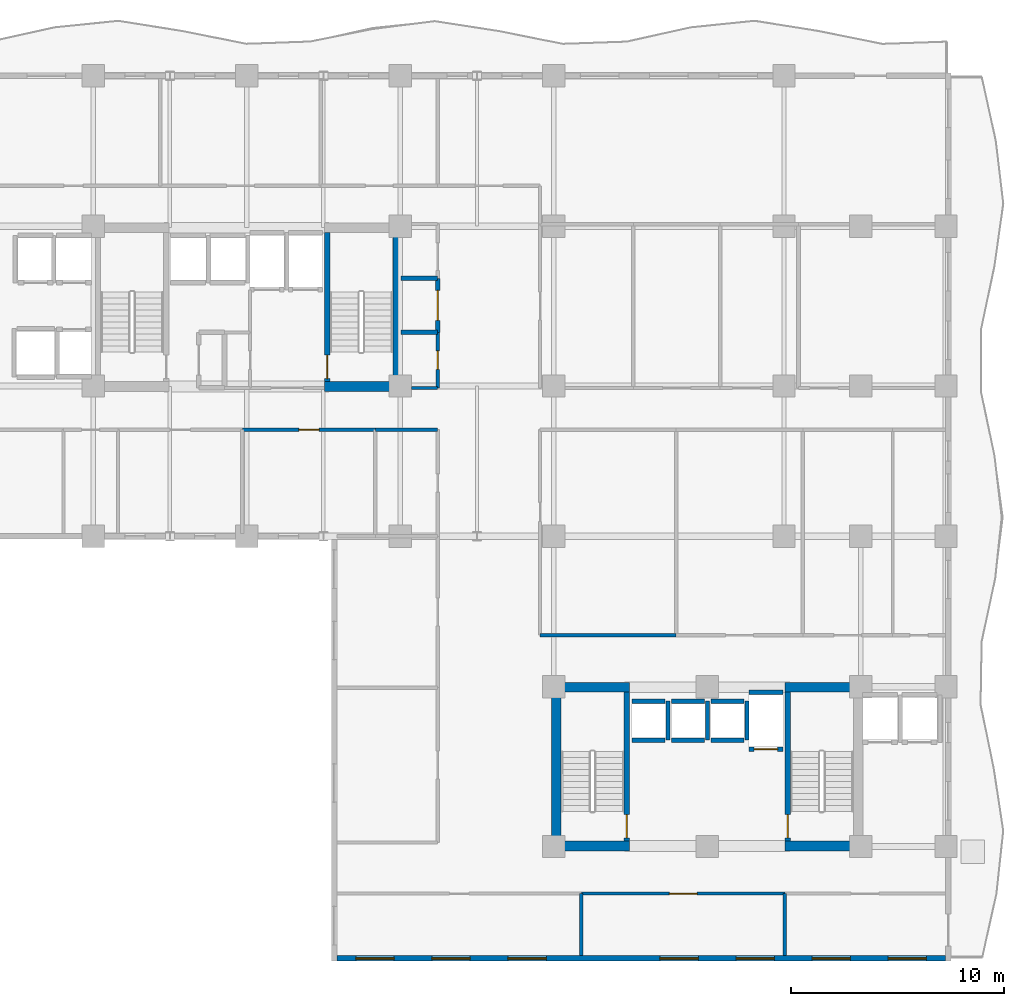
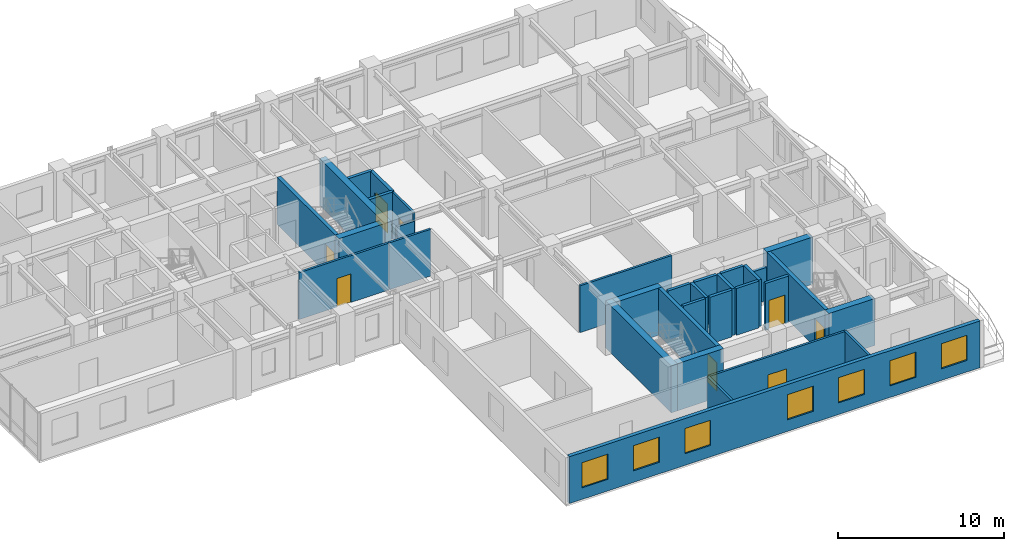
# One storey, part 12 of 19: 33 walls, 8 doors, 7 windows, 15 openings.
"""IFC4 building model written with IfcOpenShell, lengths in metres."""

from ifc_helpers import new_model, si_unit, direction, frame, frame_2d, origin, place, context, subcontext, project, spatial, rectangle, extrude, material, layer, layer_set, type_object, element, fill, save


model = new_model("IFC4")

# Units and contexts
model_context = context("Model", 3, precision=1e-05, world=origin(), true_north=direction((0.0, 1.0)))
body_context = subcontext(model_context, "Body", "Model", "MODEL_VIEW")
ifc_project = project(units=[si_unit("LENGTHUNIT", "METRE"), si_unit("AREAUNIT", "SQUARE_METRE"), si_unit("VOLUMEUNIT", "CUBIC_METRE"), si_unit("PLANEANGLEUNIT", "RADIAN"), si_unit("MASSUNIT", "GRAM", prefix="KILO")], contexts=[model_context])

# Site, building, storey
site_placement = place(None, origin())
site = spatial("IfcSite", under=ifc_project, at=site_placement, CompositionType="ELEMENT")
building_placement = place(site_placement, origin())
building = spatial("IfcBuilding", under=site, at=building_placement, Name="Kaliganga Portal Commons", CompositionType="ELEMENT")
storey_placement = place(building_placement, frame((0.0, 0.0, 140.199951171875)))
storey = spatial("IfcBuildingStorey", under=building, at=storey_placement, Name="L35", CompositionType="ELEMENT", Elevation=140.199951171875)

# Walls
ifc_material_1 = material(Name="Concrete C60/75", Category="concrete")
ifc_layer_1 = layer(ifc_material_1, 0.449951171875)
ifc_layer_set_1 = layer_set([ifc_layer_1], Name="Concrete C60/75")
wall_type_1 = type_object("IfcWallType", Name="WL-CORE-450", PredefinedType="SHEAR", material=ifc_layer_set_1)
wall_1_placement = place(storey_placement, frame((28.675048828125, 28.39990234375, 0.0), z_axis=(0.0, 0.0, 1.0), x_axis=(0.0, 1.0, 0.0)))
element("IfcWall", 1, at=wall_1_placement, inside=storey, type_object=wall_type_1, Name="Core A East Shear Wall L35", PredefinedType="SHEAR", context=body_context, shape_type="SweptSolid", body=[
    extrude(rectangle(XDim=7.900146484375, YDim=0.449951171875, at=frame_2d((3.9501953125, 0.0))), origin(), (0.0, 0.0, 1.0), 3.4599609375),
])
wall_2_placement = place(storey_placement, frame((25.25, 28.625, 0.0), z_axis=(0.0, 0.0, 1.0), x_axis=(1.0, 0.0, 0.0)))
element("IfcWall", 2, at=wall_2_placement, inside=storey, type_object=wall_type_1, Name="Core A S-East Shear Wall L35", PredefinedType="SHEAR", context=body_context, shape_type="SweptSolid", body=[
    extrude(rectangle(XDim=3.199951171875, YDim=0.449951171875, at=frame_2d((1.60009765625, 0.0))), origin(), (0.0, 0.0, 1.0), 3.4599609375),
])
wall_3_placement = place(storey_placement, frame((36.125, 6.85009765625, 0.0), z_axis=(0.0, 0.0, 1.0), x_axis=(0.0, 1.0, 0.0)))
element("IfcWall", 3, at=wall_3_placement, inside=storey, type_object=wall_type_1, Name="Core B West Shear Wall L35", PredefinedType="SHEAR", context=body_context, shape_type="SweptSolid", body=[
    extrude(rectangle(XDim=7.89990234375, YDim=0.449951171875, at=frame_2d((3.949951171875, 0.0))), origin(), (0.0, 0.0, 1.0), 3.4599609375),
])
for number, where, z_axis, x_axis, name in (
    (4, (36.35009765625, 7.074951171875, 0.0), (0.0, 0.0, 1.0), (1.0, 0.0, 0.0), "Core B S-West Shear Wall L35"),
    (5, (46.85009765625, 7.074951171875, 0.0), (0.0, 0.0, 1.0), (1.0, 0.0, 0.0), "Core B S-East Shear Wall L35"),
    (6, (36.35009765625, 14.52490234375, 0.0), (0.0, 0.0, 1.0), (1.0, 0.0, 0.0), "Core B N-West Shear Wall L35"),
    (7, (46.85009765625, 14.52490234375, 0.0), (0.0, 0.0, 1.0), (1.0, 0.0, 0.0), "Core B N-East Shear Wall L35"),
):
    element("IfcWall", number, at=place(storey_placement, frame(where, z_axis=z_axis, x_axis=x_axis)), inside=storey, type_object=wall_type_1, Name=name, PredefinedType="SHEAR", context=body_context, shape_type="SweptSolid", body=[
        extrude(rectangle(XDim=3.199951171875, YDim=0.449951171875, at=frame_2d((1.60009765625, 0.0))), origin(), (0.0, 0.0, 1.0), 3.4599609375),
    ])

# Wall, openings, windows
ifc_material_2 = material(Name="Insulated Aluminium-Clad Spandrel Assembly", Category="aluminium")
ifc_layer_2 = layer(ifc_material_2, 0.260009765625)
ifc_layer_set_2 = layer_set([ifc_layer_2], Name="Insulated Aluminium-Clad Spandrel Assembly")
wall_type_2 = type_object("IfcWallType", Name="WL-EXT-SPAND-260", PredefinedType="STANDARD", material=ifc_layer_set_2)
wall_4_placement = place(storey_placement, frame((54.364990234375, 1.800048828125, 0.0), z_axis=(0.0, 0.0, 1.0), x_axis=(-1.0, 0.0, 0.0)))
wall_4 = element("IfcWall", 8, at=wall_4_placement, inside=storey, type_object=wall_type_2, Name="Exterior Envelope Wall L35 P1-E00-S1", PredefinedType="STANDARD", context=body_context, shape_type="SweptSolid", body=[
    extrude(rectangle(XDim=28.530029296875, YDim=0.260009765625, at=frame_2d((14.26513671875, 0.0))), origin(), (0.0, 0.0, 1.0), 3.43994140625),
])
opening_1_placement = place(wall_4_placement, frame((0.883056640625, 0.0, 0.85009765625)))
opening_1 = element("IfcOpeningElement", 9, at=opening_1_placement, cuts=wall_4, Name="Opening W-01", PredefinedType="OPENING", context=body_context, shape_type="SweptSolid", body=[
    extrude(rectangle(XDim=1.800048828125, YDim=1.85009765625, at=frame_2d((0.89990234375, 0.925048828125))), frame((0.0, 0.14013671875, 0.0), z_axis=(0.0, -1.0, 0.0), x_axis=(1.0, 0.0, 0.0)), (0.0, 0.0, 1.0), 0.280029296875),
])
opening_2_placement = place(wall_4_placement, frame((4.449462890625, 0.0, 0.85009765625)))
opening_2 = element("IfcOpeningElement", 10, at=opening_2_placement, cuts=wall_4, Name="Opening W-01", PredefinedType="OPENING", context=body_context, shape_type="SweptSolid", body=[
    extrude(rectangle(XDim=1.800048828125, YDim=1.85009765625, at=frame_2d((0.89990234375, 0.925048828125))), frame((0.0, 0.14013671875, 0.0), z_axis=(0.0, -1.0, 0.0), x_axis=(1.0, 0.0, 0.0)), (0.0, 0.0, 1.0), 0.280029296875),
])
opening_3_placement = place(wall_4_placement, frame((8.015625, 0.0, 0.85009765625)))
opening_3 = element("IfcOpeningElement", 11, at=opening_3_placement, cuts=wall_4, Name="Opening W-01", PredefinedType="OPENING", context=body_context, shape_type="SweptSolid", body=[
    extrude(rectangle(XDim=1.800048828125, YDim=1.85009765625, at=frame_2d((0.89990234375, 0.925048828125))), frame((0.0, 0.14013671875, 0.0), z_axis=(0.0, -1.0, 0.0), x_axis=(1.0, 0.0, 0.0)), (0.0, 0.0, 1.0), 0.280029296875),
])
opening_4_placement = place(wall_4_placement, frame((11.581787109375, 0.0, 0.85009765625)))
opening_4 = element("IfcOpeningElement", 12, at=opening_4_placement, cuts=wall_4, Name="Opening W-01", PredefinedType="OPENING", context=body_context, shape_type="SweptSolid", body=[
    extrude(rectangle(XDim=1.800048828125, YDim=1.85009765625, at=frame_2d((0.89990234375, 0.925048828125))), frame((0.0, 0.14013671875, 0.0), z_axis=(0.0, -1.0, 0.0), x_axis=(1.0, 0.0, 0.0)), (0.0, 0.0, 1.0), 0.280029296875),
])
opening_5_placement = place(wall_4_placement, frame((18.71435546875, 0.0, 0.85009765625)))
opening_5 = element("IfcOpeningElement", 13, at=opening_5_placement, cuts=wall_4, Name="Opening W-01", PredefinedType="OPENING", context=body_context, shape_type="SweptSolid", body=[
    extrude(rectangle(XDim=1.800048828125, YDim=1.85009765625, at=frame_2d((0.89990234375, 0.925048828125))), frame((0.0, 0.14013671875, 0.0), z_axis=(0.0, -1.0, 0.0), x_axis=(1.0, 0.0, 0.0)), (0.0, 0.0, 1.0), 0.280029296875),
])
opening_6_placement = place(wall_4_placement, frame((22.280517578125, 0.0, 0.85009765625)))
opening_6 = element("IfcOpeningElement", 14, at=opening_6_placement, cuts=wall_4, Name="Opening W-01", PredefinedType="OPENING", context=body_context, shape_type="SweptSolid", body=[
    extrude(rectangle(XDim=1.800048828125, YDim=1.85009765625, at=frame_2d((0.89990234375, 0.925048828125))), frame((0.0, 0.14013671875, 0.0), z_axis=(0.0, -1.0, 0.0), x_axis=(1.0, 0.0, 0.0)), (0.0, 0.0, 1.0), 0.280029296875),
])
opening_7_placement = place(wall_4_placement, frame((25.846923828125, 0.0, 0.85009765625)))
opening_7 = element("IfcOpeningElement", 15, at=opening_7_placement, cuts=wall_4, Name="Opening W-01", PredefinedType="OPENING", context=body_context, shape_type="SweptSolid", body=[
    extrude(rectangle(XDim=1.800048828125, YDim=1.85009765625, at=frame_2d((0.89990234375, 0.925048828125))), frame((0.0, 0.14013671875, 0.0), z_axis=(0.0, -1.0, 0.0), x_axis=(1.0, 0.0, 0.0)), (0.0, 0.0, 1.0), 0.280029296875),
])
ifc_material_3 = material(Name="Thermally Broken Aluminium and Low-E Double Glazing", Category="aluminium")
window_type = type_object("IfcWindowType", Name="WIN-STD-1800", PartitioningType="DOUBLE_PANEL_VERTICAL", PredefinedType="WINDOW", material=ifc_material_3)
window_1_placement = place(opening_1_placement, origin())
window_1 = element("IfcWindow", 16, at=window_1_placement, inside=storey, type_object=window_type, Name="Facade Window L35-P1E00S1-00", OverallHeight=1.85009765625, OverallWidth=1.800048828125, PartitioningType="SINGLE_PANEL", PredefinedType="WINDOW", context=body_context, shape_type="SweptSolid", body=[
    extrude(rectangle(XDim=1.800048828125, YDim=1.85009765625, at=frame_2d((0.89990234375, 0.925048828125))), frame((0.0, 0.030029296875, 0.0), z_axis=(0.0, -1.0, 0.0), x_axis=(1.0, 0.0, 0.0)), (0.0, 0.0, 1.0), 0.06005859375),
])
fill(opening_1, window_1)
window_2_placement = place(opening_2_placement, origin())
window_2 = element("IfcWindow", 17, at=window_2_placement, inside=storey, type_object=window_type, Name="Facade Window L35-P1E00S1-01", OverallHeight=1.85009765625, OverallWidth=1.800048828125, PartitioningType="SINGLE_PANEL", PredefinedType="WINDOW", context=body_context, shape_type="SweptSolid", body=[
    extrude(rectangle(XDim=1.800048828125, YDim=1.85009765625, at=frame_2d((0.89990234375, 0.925048828125))), frame((0.0, 0.030029296875, 0.0), z_axis=(0.0, -1.0, 0.0), x_axis=(1.0, 0.0, 0.0)), (0.0, 0.0, 1.0), 0.06005859375),
])
fill(opening_2, window_2)
window_3_placement = place(opening_3_placement, origin())
window_3 = element("IfcWindow", 18, at=window_3_placement, inside=storey, type_object=window_type, Name="Facade Window L35-P1E00S1-02", OverallHeight=1.85009765625, OverallWidth=1.800048828125, PartitioningType="SINGLE_PANEL", PredefinedType="WINDOW", context=body_context, shape_type="SweptSolid", body=[
    extrude(rectangle(XDim=1.800048828125, YDim=1.85009765625, at=frame_2d((0.89990234375, 0.925048828125))), frame((0.0, 0.030029296875, 0.0), z_axis=(0.0, -1.0, 0.0), x_axis=(1.0, 0.0, 0.0)), (0.0, 0.0, 1.0), 0.06005859375),
])
fill(opening_3, window_3)
window_4_placement = place(opening_4_placement, origin())
window_4 = element("IfcWindow", 19, at=window_4_placement, inside=storey, type_object=window_type, Name="Facade Window L35-P1E00S1-03", OverallHeight=1.85009765625, OverallWidth=1.800048828125, PartitioningType="SINGLE_PANEL", PredefinedType="WINDOW", context=body_context, shape_type="SweptSolid", body=[
    extrude(rectangle(XDim=1.800048828125, YDim=1.85009765625, at=frame_2d((0.89990234375, 0.925048828125))), frame((0.0, 0.030029296875, 0.0), z_axis=(0.0, -1.0, 0.0), x_axis=(1.0, 0.0, 0.0)), (0.0, 0.0, 1.0), 0.06005859375),
])
fill(opening_4, window_4)
window_5_placement = place(opening_5_placement, origin())
window_5 = element("IfcWindow", 20, at=window_5_placement, inside=storey, type_object=window_type, Name="Facade Window L35-P1E00S1-05", OverallHeight=1.85009765625, OverallWidth=1.800048828125, PartitioningType="SINGLE_PANEL", PredefinedType="WINDOW", context=body_context, shape_type="SweptSolid", body=[
    extrude(rectangle(XDim=1.800048828125, YDim=1.85009765625, at=frame_2d((0.89990234375, 0.925048828125))), frame((0.0, 0.030029296875, 0.0), z_axis=(0.0, -1.0, 0.0), x_axis=(1.0, 0.0, 0.0)), (0.0, 0.0, 1.0), 0.06005859375),
])
fill(opening_5, window_5)
window_6_placement = place(opening_6_placement, origin())
window_6 = element("IfcWindow", 21, at=window_6_placement, inside=storey, type_object=window_type, Name="Facade Window L35-P1E00S1-06", OverallHeight=1.85009765625, OverallWidth=1.800048828125, PartitioningType="SINGLE_PANEL", PredefinedType="WINDOW", context=body_context, shape_type="SweptSolid", body=[
    extrude(rectangle(XDim=1.800048828125, YDim=1.85009765625, at=frame_2d((0.89990234375, 0.925048828125))), frame((0.0, 0.030029296875, 0.0), z_axis=(0.0, -1.0, 0.0), x_axis=(1.0, 0.0, 0.0)), (0.0, 0.0, 1.0), 0.06005859375),
])
fill(opening_6, window_6)
window_7_placement = place(opening_7_placement, origin())
window_7 = element("IfcWindow", 22, at=window_7_placement, inside=storey, type_object=window_type, Name="Facade Window L35-P1E00S1-07", OverallHeight=1.85009765625, OverallWidth=1.800048828125, PartitioningType="SINGLE_PANEL", PredefinedType="WINDOW", context=body_context, shape_type="SweptSolid", body=[
    extrude(rectangle(XDim=1.800048828125, YDim=1.85009765625, at=frame_2d((0.89990234375, 0.925048828125))), frame((0.0, 0.030029296875, 0.0), z_axis=(0.0, -1.0, 0.0), x_axis=(1.0, 0.0, 0.0)), (0.0, 0.0, 1.0), 0.06005859375),
])
fill(opening_7, window_7)

# Wall, opening, door
ifc_material_4 = material(Name="Fire-Rated Gypsum Board on Steel Stud", Category="steel")
ifc_layer_3 = layer(ifc_material_4, 0.14990234375)
ifc_layer_set_3 = layer_set([ifc_layer_3], Name="Fire-Rated Gypsum Board on Steel Stud")
wall_type_3 = type_object("IfcWallType", Name="WL-PART-CORR-150", PredefinedType="PARTITIONING", material=ifc_layer_set_3)
wall_5_placement = place(storey_placement, frame((37.300048828125, 4.840087890625, 0.0), z_axis=(0.0, 0.0, 1.0), x_axis=(1.0, 0.0, 0.0)))
wall_5 = element("IfcWall", 23, at=wall_5_placement, inside=storey, type_object=wall_type_3, Name="Interior Partition L35-004", PredefinedType="PARTITIONING", context=body_context, shape_type="SweptSolid", body=[
    extrude(rectangle(XDim=9.5400390625, YDim=0.14990234375, at=frame_2d((4.77001953125, 0.0))), origin(), (0.0, 0.0, 1.0), 3.43994140625),
])
opening_8_placement = place(wall_5_placement, frame((4.1201171875, 0.0, 0.0)))
opening_8 = element("IfcOpeningElement", 24, at=opening_8_placement, cuts=wall_5, Name="Opening RD-03", PredefinedType="OPENING", context=body_context, shape_type="SweptSolid", body=[
    extrude(rectangle(XDim=1.300048828125, YDim=2.1201171875, at=frame_2d((0.64990234375, 1.06005859375))), frame((0.0, 0.0849609375, 0.0), z_axis=(0.0, -1.0, 0.0), x_axis=(1.0, 0.0, 0.0)), (0.0, 0.0, 1.0), 0.169921875),
])
ifc_material_5 = material(Name="Glazed Timber Seminar Vision Door", Category="wood")
door_type_1 = type_object("IfcDoorType", Name="DR-STUDY-1300", OperationType="DOUBLE_DOOR_SINGLE_SWING", PredefinedType="DOOR", material=ifc_material_5)
door_1_placement = place(opening_8_placement, origin())
door_1 = element("IfcDoor", 25, at=door_1_placement, inside=storey, type_object=door_type_1, Name="Interior Door L35-BS02", OperationType="DOUBLE_DOOR_SINGLE_SWING", OverallHeight=2.1201171875, OverallWidth=1.300048828125, PredefinedType="DOOR", context=body_context, shape_type="SweptSolid", body=[
    extrude(rectangle(XDim=1.300048828125, YDim=2.1201171875, at=frame_2d((0.64990234375, 1.06005859375))), frame((0.0, 0.02490234375, 0.0), z_axis=(0.0, -1.0, 0.0), x_axis=(1.0, 0.0, 0.0)), (0.0, 0.0, 1.0), 0.050048828125),
])
fill(opening_8, door_1)

# Wall
wall_6_placement = place(storey_placement, frame((35.360107421875, 16.9599609375, 0.0), z_axis=(0.0, 0.0, 1.0), x_axis=(1.0, 0.0, 0.0)))
element("IfcWall", 26, at=wall_6_placement, inside=storey, type_object=wall_type_3, Name="Interior Partition L35-018", PredefinedType="PARTITIONING", context=body_context, shape_type="SweptSolid", body=[
    extrude(rectangle(XDim=6.3798828125, YDim=0.14990234375, at=frame_2d((3.18994140625, 0.0))), origin(), (0.0, 0.0, 1.0), 3.43994140625),
])

# Wall, opening, door
wall_7_placement = place(storey_placement, frame((21.39990234375, 26.60009765625, 0.0), z_axis=(0.0, 0.0, 1.0), x_axis=(1.0, 0.0, 0.0)))
wall_7 = element("IfcWall", 27, at=wall_7_placement, inside=storey, type_object=wall_type_3, Name="Interior Partition L35-020", PredefinedType="PARTITIONING", context=body_context, shape_type="SweptSolid", body=[
    extrude(rectangle(XDim=6.239990234375, YDim=0.14990234375, at=frame_2d((3.1201171875, 0.0))), origin(), (0.0, 0.0, 1.0), 3.43994140625),
])
opening_9_placement = place(wall_7_placement, frame((2.64501953125, 0.0, 0.0)))
opening_9 = element("IfcOpeningElement", 28, at=opening_9_placement, cuts=wall_7, Name="Opening UD-01", PredefinedType="OPENING", context=body_context, shape_type="SweptSolid", body=[
    extrude(rectangle(XDim=0.949951171875, YDim=2.10009765625, at=frame_2d((0.47509765625, 1.050048828125))), frame((0.0, 0.0849609375, 0.0), z_axis=(0.0, -1.0, 0.0), x_axis=(1.0, 0.0, 0.0)), (0.0, 0.0, 1.0), 0.169921875),
])
ifc_material_6 = material(Name="Solid-Core Timber Acoustic Fire Door", Category="wood")
door_type_2 = type_object("IfcDoorType", Name="DR-UNIT-950", OperationType="NOTDEFINED", PredefinedType="DOOR", material=ifc_material_6)
door_2_placement = place(opening_9_placement, origin())
door_2 = element("IfcDoor", 29, at=door_2_placement, inside=storey, type_object=door_type_2, Name="Interior Door L35-AS04", OperationType="SINGLE_SWING_RIGHT", OverallHeight=2.10009765625, OverallWidth=0.949951171875, PredefinedType="DOOR", context=body_context, shape_type="SweptSolid", body=[
    extrude(rectangle(XDim=0.949951171875, YDim=2.10009765625, at=frame_2d((0.47509765625, 1.050048828125))), frame((0.0, 0.02490234375, 0.0), z_axis=(0.0, -1.0, 0.0), x_axis=(1.0, 0.0, 0.0)), (0.0, 0.0, 1.0), 0.050048828125),
])
fill(opening_9, door_2)

# Wall
wall_8_placement = place(storey_placement, frame((27.639892578125, 26.60009765625, 0.0), z_axis=(0.0, 0.0, 1.0), x_axis=(1.0, 0.0, 0.0)))
element("IfcWall", 30, at=wall_8_placement, inside=storey, type_object=wall_type_3, Name="Interior Partition L35-035", PredefinedType="PARTITIONING", context=body_context, shape_type="SweptSolid", body=[
    extrude(rectangle(XDim=2.920166015625, YDim=0.14990234375, at=frame_2d((1.4599609375, 0.0))), origin(), (0.0, 0.0, 1.0), 3.43994140625),
])

# Wall, opening, door
wall_9_placement = place(storey_placement, frame((30.56005859375, 28.56005859375, 0.0), z_axis=(0.0, 0.0, 1.0), x_axis=(0.0, 1.0, 0.0)))
wall_9 = element("IfcWall", 31, at=wall_9_placement, inside=storey, type_object=wall_type_3, Name="Interior Partition L35-040", PredefinedType="PARTITIONING", context=body_context, shape_type="SweptSolid", body=[
    extrude(rectangle(XDim=2.599853515625, YDim=0.14990234375, at=frame_2d((1.2998046875, 0.0))), origin(), (0.0, 0.0, 1.0), 3.43994140625),
])
opening_10_placement = place(wall_9_placement, frame((0.8701171875, 0.0, 0.0)))
opening_10 = element("IfcOpeningElement", 32, at=opening_10_placement, cuts=wall_9, Name="Opening WD-02", PredefinedType="OPENING", context=body_context, shape_type="SweptSolid", body=[
    extrude(rectangle(XDim=0.860107421875, YDim=2.02001953125, at=frame_2d((0.43017578125, 1.010009765625))), frame((0.0, 0.0849609375, 0.0), z_axis=(0.0, -1.0, 0.0), x_axis=(1.0, 0.0, 0.0)), (0.0, 0.0, 1.0), 0.169921875),
])
ifc_material_7 = material(Name="Fire-Rated Utility Closet Door", Category="wood")
door_type_3 = type_object("IfcDoorType", Name="DR-STORE-800", OperationType="NOTDEFINED", PredefinedType="DOOR", material=ifc_material_7)
door_3_placement = place(opening_10_placement, origin())
door_3 = element("IfcDoor", 33, at=door_3_placement, inside=storey, type_object=door_type_3, Name="Interior Door L35-CSRV_A1", OperationType="SINGLE_SWING_RIGHT", OverallHeight=2.02001953125, OverallWidth=0.860107421875, PredefinedType="DOOR", context=body_context, shape_type="SweptSolid", body=[
    extrude(rectangle(XDim=0.860107421875, YDim=2.02001953125, at=frame_2d((0.43017578125, 1.010009765625))), frame((0.0, 0.02490234375, 0.0), z_axis=(0.0, -1.0, 0.0), x_axis=(1.0, 0.0, 0.0)), (0.0, 0.0, 1.0), 0.050048828125),
])
fill(opening_10, door_3)

# Wall
wall_10_placement = place(storey_placement, frame((29.324951171875, 28.56005859375, 0.0), z_axis=(0.0, 0.0, 1.0), x_axis=(1.0, 0.0, 0.0)))
element("IfcWall", 34, at=wall_10_placement, inside=storey, type_object=wall_type_3, Name="Interior Partition L35-045", PredefinedType="PARTITIONING", context=body_context, shape_type="SweptSolid", body=[
    extrude(rectangle(XDim=1.235107421875, YDim=0.14990234375, at=frame_2d((0.61767578125, 0.0))), origin(), (0.0, 0.0, 1.0), 2.840087890625),
])

# Wall, opening, door
ifc_material_8 = material(Name="Lightweight blockwork masonry", Category="masonry")
ifc_layer_4 = layer(ifc_material_8, 0.215087890625)
ifc_layer_set_4 = layer_set([ifc_layer_4], Name="Lightweight blockwork masonry")
wall_type_4 = type_object("IfcWallType", Name="WL-PART-PLANT-215", PredefinedType="PARTITIONING", material=ifc_layer_set_4)
wall_11_placement = place(storey_placement, frame((30.56005859375, 31.159912109375, 0.0), z_axis=(0.0, 0.0, 1.0), x_axis=(0.0, 1.0, 0.0)))
wall_11 = element("IfcWall", 35, at=wall_11_placement, inside=storey, type_object=wall_type_4, Name="Interior Partition L35-042", PredefinedType="PARTITIONING", context=body_context, shape_type="SweptSolid", body=[
    extrude(rectangle(XDim=2.5400390625, YDim=0.215087890625, at=frame_2d((1.27001953125, 0.0))), origin(), (0.0, 0.0, 1.0), 3.43994140625),
])
opening_11_placement = place(wall_11_placement, frame((0.570068359375, 0.0, 0.0)))
opening_11 = element("IfcOpeningElement", 36, at=opening_11_placement, cuts=wall_11, Name="Opening PD-01", PredefinedType="OPENING", context=body_context, shape_type="SweptSolid", body=[
    extrude(rectangle(XDim=1.39990234375, YDim=2.14990234375, at=frame_2d((0.699951171875, 1.074951171875))), frame((0.0, 0.11767578125, 0.0), z_axis=(0.0, -1.0, 0.0), x_axis=(1.0, 0.0, 0.0)), (0.0, 0.0, 1.0), 0.235107421875),
])
ifc_material_9 = material(Name="Heavy-Duty Steel Acoustic Louvre Fire Door", Category="steel")
door_type_4 = type_object("IfcDoorType", Name="DR-PLANT-1400", OperationType="DOUBLE_DOOR_SINGLE_SWING", PredefinedType="DOOR", material=ifc_material_9)
door_4_placement = place(opening_11_placement, origin())
door_4 = element("IfcDoor", 37, at=door_4_placement, inside=storey, type_object=door_type_4, Name="Interior Door L35-CSRV_A3", OperationType="DOUBLE_DOOR_SINGLE_SWING", OverallHeight=2.14990234375, OverallWidth=1.39990234375, PredefinedType="DOOR", context=body_context, shape_type="SweptSolid", body=[
    extrude(rectangle(XDim=1.39990234375, YDim=2.14990234375, at=frame_2d((0.699951171875, 1.074951171875))), frame((0.0, 0.02490234375, 0.0), z_axis=(0.0, -1.0, 0.0), x_axis=(1.0, 0.0, 0.0)), (0.0, 0.0, 1.0), 0.050048828125),
])
fill(opening_11, door_4)

# Walls
for number, where, z_axis, x_axis, name in (
    (38, (28.840087890625, 31.159912109375, 0.0), (0.0, 0.0, 1.0), (1.0, 0.0, 0.0), "Interior Partition L35-078"),
    (39, (28.840087890625, 33.699951171875, 0.0), (0.0, 0.0, 1.0), (1.0, 0.0, 0.0), "Interior Partition L35-079"),
):
    element("IfcWall", number, at=place(storey_placement, frame(where, z_axis=z_axis, x_axis=x_axis)), inside=storey, type_object=wall_type_4, Name=name, PredefinedType="PARTITIONING", context=body_context, shape_type="SweptSolid", body=[
        extrude(rectangle(XDim=1.719970703125, YDim=0.215087890625, at=frame_2d((0.85986328125, 0.0))), origin(), (0.0, 0.0, 1.0), 3.43994140625),
    ])
ifc_material_10 = material(Name="Twin-Stud Acoustic Gypsum Partition", Category="gypsum")
ifc_layer_5 = layer(ifc_material_10, 0.1650390625)
ifc_layer_set_5 = layer_set([ifc_layer_5], Name="Twin-Stud Acoustic Gypsum Partition")
wall_type_5 = type_object("IfcWallType", Name="WL-PART-UNIT-165", PredefinedType="PARTITIONING", material=ifc_layer_set_5)
for number, where, z_axis, x_axis, name in (
    (40, (37.300048828125, 1.931884765625, 0.0), (0.0, 0.0, 1.0), (0.0, 1.0, 0.0), "Interior Partition L35-072"),
    (41, (46.840087890625, 1.931884765625, 0.0), (0.0, 0.0, 1.0), (0.0, 1.0, 0.0), "Interior Partition L35-073"),
):
    element("IfcWall", number, at=place(storey_placement, frame(where, z_axis=z_axis, x_axis=x_axis)), inside=storey, type_object=wall_type_5, Name=name, PredefinedType="PARTITIONING", context=body_context, shape_type="SweptSolid", body=[
        extrude(rectangle(XDim=2.908203125, YDim=0.1650390625, at=frame_2d((1.4541015625, 0.0))), origin(), (0.0, 0.0, 1.0), 3.43994140625),
    ])
ifc_material_11 = material(Name="Fire-Rated Shaftwall Masonry Assembly", Category="masonry")
ifc_layer_6 = layer(ifc_material_11, 0.199951171875)
ifc_layer_set_6 = layer_set([ifc_layer_6], Name="Fire-Rated Shaftwall Masonry Assembly")
wall_type_6 = type_object("IfcWallType", Name="WL-SHAFT-200", PredefinedType="PARTITIONING", material=ifc_layer_set_6)
for number, where, z_axis, x_axis, name in (
    (42, (39.675048828125, 12.034912109375, 0.0), (0.0, 0.0, 1.0), (1.0, 0.0, 0.0), "Lift PL-B1 Hoistway Shaft Wall L35-S"),
    (43, (39.675048828125, 13.864990234375, 0.0), (0.0, 0.0, 1.0), (1.0, 0.0, 0.0), "Lift PL-B1 Hoistway Shaft Wall L35-N"),
):
    element("IfcWall", number, at=place(storey_placement, frame(where, z_axis=z_axis, x_axis=x_axis)), inside=storey, type_object=wall_type_6, Name=name, PredefinedType="PARTITIONING", context=body_context, shape_type="SweptSolid", body=[
        extrude(rectangle(XDim=1.550048828125, YDim=0.199951171875, at=frame_2d((0.77490234375, 0.0))), origin(), (0.0, 0.0, 1.0), 3.43994140625),
    ])
wall_12_placement = place(storey_placement, frame((41.364990234375, 12.034912109375, 0.0), z_axis=(0.0, 0.0, 1.0), x_axis=(0.0, 1.0, 0.0)))
element("IfcWall", 44, at=wall_12_placement, inside=storey, type_object=wall_type_6, Name="Lift PL-B1 Hoistway Shaft Wall L35-E", PredefinedType="PARTITIONING", context=body_context, shape_type="SweptSolid", body=[
    extrude(rectangle(XDim=1.830078125, YDim=0.199951171875, at=frame_2d((0.9150390625, 0.0))), origin(), (0.0, 0.0, 1.0), 3.43994140625),
])
for number, where, z_axis, x_axis, name in (
    (45, (41.52490234375, 12.034912109375, 0.0), (0.0, 0.0, 1.0), (1.0, 0.0, 0.0), "Lift PL-B2 Hoistway Shaft Wall L35-S"),
    (46, (41.52490234375, 13.864990234375, 0.0), (0.0, 0.0, 1.0), (1.0, 0.0, 0.0), "Lift PL-B2 Hoistway Shaft Wall L35-N"),
):
    element("IfcWall", number, at=place(storey_placement, frame(where, z_axis=z_axis, x_axis=x_axis)), inside=storey, type_object=wall_type_6, Name=name, PredefinedType="PARTITIONING", context=body_context, shape_type="SweptSolid", body=[
        extrude(rectangle(XDim=1.550048828125, YDim=0.199951171875, at=frame_2d((0.77490234375, 0.0))), origin(), (0.0, 0.0, 1.0), 3.43994140625),
    ])
wall_13_placement = place(storey_placement, frame((43.215087890625, 12.034912109375, 0.0), z_axis=(0.0, 0.0, 1.0), x_axis=(0.0, 1.0, 0.0)))
element("IfcWall", 47, at=wall_13_placement, inside=storey, type_object=wall_type_6, Name="Lift PL-B2 Hoistway Shaft Wall L35-E", PredefinedType="PARTITIONING", context=body_context, shape_type="SweptSolid", body=[
    extrude(rectangle(XDim=1.830078125, YDim=0.199951171875, at=frame_2d((0.9150390625, 0.0))), origin(), (0.0, 0.0, 1.0), 3.43994140625),
])
for number, where, z_axis, x_axis, name in (
    (48, (43.375, 12.034912109375, 0.0), (0.0, 0.0, 1.0), (1.0, 0.0, 0.0), "Lift SH-2 Hoistway Shaft Wall L35-S"),
    (49, (43.375, 13.864990234375, 0.0), (0.0, 0.0, 1.0), (1.0, 0.0, 0.0), "Lift SH-2 Hoistway Shaft Wall L35-N"),
):
    element("IfcWall", number, at=place(storey_placement, frame(where, z_axis=z_axis, x_axis=x_axis)), inside=storey, type_object=wall_type_6, Name=name, PredefinedType="PARTITIONING", context=body_context, shape_type="SweptSolid", body=[
        extrude(rectangle(XDim=1.550048828125, YDim=0.199951171875, at=frame_2d((0.77490234375, 0.0))), origin(), (0.0, 0.0, 1.0), 3.43994140625),
    ])
wall_14_placement = place(storey_placement, frame((45.06494140625, 12.034912109375, 0.0), z_axis=(0.0, 0.0, 1.0), x_axis=(0.0, 1.0, 0.0)))
element("IfcWall", 50, at=wall_14_placement, inside=storey, type_object=wall_type_6, Name="Lift SH-2 Hoistway Shaft Wall L35-E", PredefinedType="PARTITIONING", context=body_context, shape_type="SweptSolid", body=[
    extrude(rectangle(XDim=1.830078125, YDim=0.199951171875, at=frame_2d((0.9150390625, 0.0))), origin(), (0.0, 0.0, 1.0), 3.43994140625),
])

# Wall, opening, door
wall_15_placement = place(storey_placement, frame((45.14990234375, 11.610107421875, 0.0), z_axis=(0.0, 0.0, 1.0), x_axis=(1.0, 0.0, 0.0)))
wall_15 = element("IfcWall", 51, at=wall_15_placement, inside=storey, type_object=wall_type_6, Name="Lift SL-B1 Hoistway Shaft Wall L35-S", PredefinedType="PARTITIONING", context=body_context, shape_type="SweptSolid", body=[
    extrude(rectangle(XDim=1.60009765625, YDim=0.199951171875, at=frame_2d((0.800048828125, 0.0))), origin(), (0.0, 0.0, 1.0), 3.43994140625),
])
opening_12_placement = place(wall_15_placement, frame((0.25, 0.0, 0.0)))
opening_12 = element("IfcOpeningElement", 52, at=opening_12_placement, cuts=wall_15, Name="Opening LD-01", PredefinedType="OPENING", context=body_context, shape_type="SweptSolid", body=[
    extrude(rectangle(XDim=1.10009765625, YDim=2.1201171875, at=frame_2d((0.550048828125, 1.06005859375))), frame((0.0, 0.10986328125, 0.0), z_axis=(0.0, -1.0, 0.0), x_axis=(1.0, 0.0, 0.0)), (0.0, 0.0, 1.0), 0.219970703125),
])
ifc_material_12 = material(Name="Brushed Stainless Steel 316 Lift Landing Door", Category="steel")
door_type_5 = type_object("IfcDoorType", Name="DR-LIFT-1100", OperationType="SLIDING_TO_LEFT", PredefinedType="DOOR", material=ifc_material_12)
door_5_placement = place(opening_12_placement, origin())
door_5 = element("IfcDoor", 53, at=door_5_placement, inside=storey, type_object=door_type_5, Name="Lift SL-B1 Sliding Landing Door L35", OperationType="SLIDING_TO_LEFT", OverallHeight=2.1201171875, OverallWidth=1.10009765625, PredefinedType="DOOR", context=body_context, shape_type="SweptSolid", body=[
    extrude(rectangle(XDim=1.10009765625, YDim=2.1201171875, at=frame_2d((0.550048828125, 1.06005859375))), frame((0.0, 0.02490234375, 0.0), z_axis=(0.0, -1.0, 0.0), x_axis=(1.0, 0.0, 0.0)), (0.0, 0.0, 1.0), 0.050048828125),
])
fill(opening_12, door_5)

# Wall
wall_16_placement = place(storey_placement, frame((45.14990234375, 14.2900390625, 0.0), z_axis=(0.0, 0.0, 1.0), x_axis=(1.0, 0.0, 0.0)))
element("IfcWall", 54, at=wall_16_placement, inside=storey, type_object=wall_type_6, Name="Lift SL-B1 Hoistway Shaft Wall L35-N", PredefinedType="PARTITIONING", context=body_context, shape_type="SweptSolid", body=[
    extrude(rectangle(XDim=1.60009765625, YDim=0.199951171875, at=frame_2d((0.800048828125, 0.0))), origin(), (0.0, 0.0, 1.0), 2.43994140625),
])

# Wall, opening, door
ifc_material_13 = material(Name="Concrete C50/60", Category="concrete")
ifc_layer_7 = layer(ifc_material_13, 0.25)
ifc_layer_set_7 = layer_set([ifc_layer_7], Name="Concrete C50/60")
wall_type_7 = type_object("IfcWallType", Name="WL-STAIR-250", PredefinedType="SHEAR", material=ifc_layer_set_7)
wall_17_placement = place(storey_placement, frame((25.375, 28.85009765625, 0.0), z_axis=(0.0, 0.0, 1.0), x_axis=(0.0, 1.0, 0.0)))
wall_17 = element("IfcWall", 55, at=wall_17_placement, inside=storey, type_object=wall_type_7, Name="Stair A2 Enclosure Shear Wall L35", PredefinedType="SHEAR", context=body_context, shape_type="SweptSolid", body=[
    extrude(rectangle(XDim=7.0, YDim=0.25, at=frame_2d((3.5, 0.0))), origin(), (0.0, 0.0, 1.0), 3.4599609375),
])
opening_13_placement = place(wall_17_placement, frame((0.14990234375, 0.0, 0.0)))
opening_13 = element("IfcOpeningElement", 56, at=opening_13_placement, cuts=wall_17, Name="Opening SD-01", PredefinedType="OPENING", context=body_context, shape_type="SweptSolid", body=[
    extrude(rectangle(XDim=1.10009765625, YDim=2.080078125, at=frame_2d((0.550048828125, 1.0400390625))), frame((0.0, 0.135009765625, 0.0), z_axis=(0.0, -1.0, 0.0), x_axis=(1.0, 0.0, 0.0)), (0.0, 0.0, 1.0), 0.27001953125),
])
ifc_material_14 = material(Name="Galvanized Steel Fire Door Leaf and Frame", Category="steel")
door_type_6 = type_object("IfcDoorType", Name="DR-STAIR-1100", OperationType="NOTDEFINED", PredefinedType="DOOR", material=ifc_material_14)
door_6_placement = place(opening_13_placement, origin())
door_6 = element("IfcDoor", 57, at=door_6_placement, inside=storey, type_object=door_type_6, Name="Protected Stair ST-A2 Fire Door L35", OperationType="SINGLE_SWING_RIGHT", OverallHeight=2.080078125, OverallWidth=1.10009765625, PredefinedType="DOOR", context=body_context, shape_type="SweptSolid", body=[
    extrude(rectangle(XDim=1.10009765625, YDim=2.080078125, at=frame_2d((0.550048828125, 1.0400390625))), frame((0.0, 0.02490234375, 0.0), z_axis=(0.0, -1.0, 0.0), x_axis=(1.0, 0.0, 0.0)), (0.0, 0.0, 1.0), 0.050048828125),
])
fill(opening_13, door_6)

wall_18_placement = place(storey_placement, frame((39.425048828125, 7.300048828125, 0.0), z_axis=(0.0, 0.0, 1.0), x_axis=(0.0, 1.0, 0.0)))
wall_18 = element("IfcWall", 58, at=wall_18_placement, inside=storey, type_object=wall_type_7, Name="Stair B1 Enclosure Shear Wall L35", PredefinedType="SHEAR", context=body_context, shape_type="SweptSolid", body=[
    extrude(rectangle(XDim=7.0, YDim=0.25, at=frame_2d((3.5, 0.0))), origin(), (0.0, 0.0, 1.0), 3.4599609375),
])
opening_14_placement = place(wall_18_placement, frame((0.14990234375, 0.0, 0.0)))
opening_14 = element("IfcOpeningElement", 59, at=opening_14_placement, cuts=wall_18, Name="Opening SD-01", PredefinedType="OPENING", context=body_context, shape_type="SweptSolid", body=[
    extrude(rectangle(XDim=1.10009765625, YDim=2.080078125, at=frame_2d((0.550048828125, 1.0400390625))), frame((0.0, 0.135009765625, 0.0), z_axis=(0.0, -1.0, 0.0), x_axis=(1.0, 0.0, 0.0)), (0.0, 0.0, 1.0), 0.27001953125),
])
door_7_placement = place(opening_14_placement, origin())
door_7 = element("IfcDoor", 60, at=door_7_placement, inside=storey, type_object=door_type_6, Name="Protected Stair ST-B1 Fire Door L35", OperationType="SINGLE_SWING_LEFT", OverallHeight=2.080078125, OverallWidth=1.10009765625, PredefinedType="DOOR", context=body_context, shape_type="SweptSolid", body=[
    extrude(rectangle(XDim=1.10009765625, YDim=2.080078125, at=frame_2d((0.550048828125, 1.0400390625))), frame((0.0, 0.02490234375, 0.0), z_axis=(0.0, -1.0, 0.0), x_axis=(1.0, 0.0, 0.0)), (0.0, 0.0, 1.0), 0.050048828125),
])
fill(opening_14, door_7)

wall_19_placement = place(storey_placement, frame((46.97509765625, 7.300048828125, 0.0), z_axis=(0.0, 0.0, 1.0), x_axis=(0.0, 1.0, 0.0)))
wall_19 = element("IfcWall", 61, at=wall_19_placement, inside=storey, type_object=wall_type_7, Name="Stair B2 Enclosure Shear Wall L35", PredefinedType="SHEAR", context=body_context, shape_type="SweptSolid", body=[
    extrude(rectangle(XDim=7.0, YDim=0.25, at=frame_2d((3.5, 0.0))), origin(), (0.0, 0.0, 1.0), 3.4599609375),
])
opening_15_placement = place(wall_19_placement, frame((0.14990234375, 0.0, 0.0)))
opening_15 = element("IfcOpeningElement", 62, at=opening_15_placement, cuts=wall_19, Name="Opening SD-01", PredefinedType="OPENING", context=body_context, shape_type="SweptSolid", body=[
    extrude(rectangle(XDim=1.10009765625, YDim=2.080078125, at=frame_2d((0.550048828125, 1.0400390625))), frame((0.0, 0.135009765625, 0.0), z_axis=(0.0, -1.0, 0.0), x_axis=(1.0, 0.0, 0.0)), (0.0, 0.0, 1.0), 0.27001953125),
])
door_8_placement = place(opening_15_placement, origin())
door_8 = element("IfcDoor", 63, at=door_8_placement, inside=storey, type_object=door_type_6, Name="Protected Stair ST-B2 Fire Door L35", OperationType="SINGLE_SWING_RIGHT", OverallHeight=2.080078125, OverallWidth=1.10009765625, PredefinedType="DOOR", context=body_context, shape_type="SweptSolid", body=[
    extrude(rectangle(XDim=1.10009765625, YDim=2.080078125, at=frame_2d((0.550048828125, 1.0400390625))), frame((0.0, 0.02490234375, 0.0), z_axis=(0.0, -1.0, 0.0), x_axis=(1.0, 0.0, 0.0)), (0.0, 0.0, 1.0), 0.050048828125),
])
fill(opening_15, door_8)

save(model, "model.ifc")
